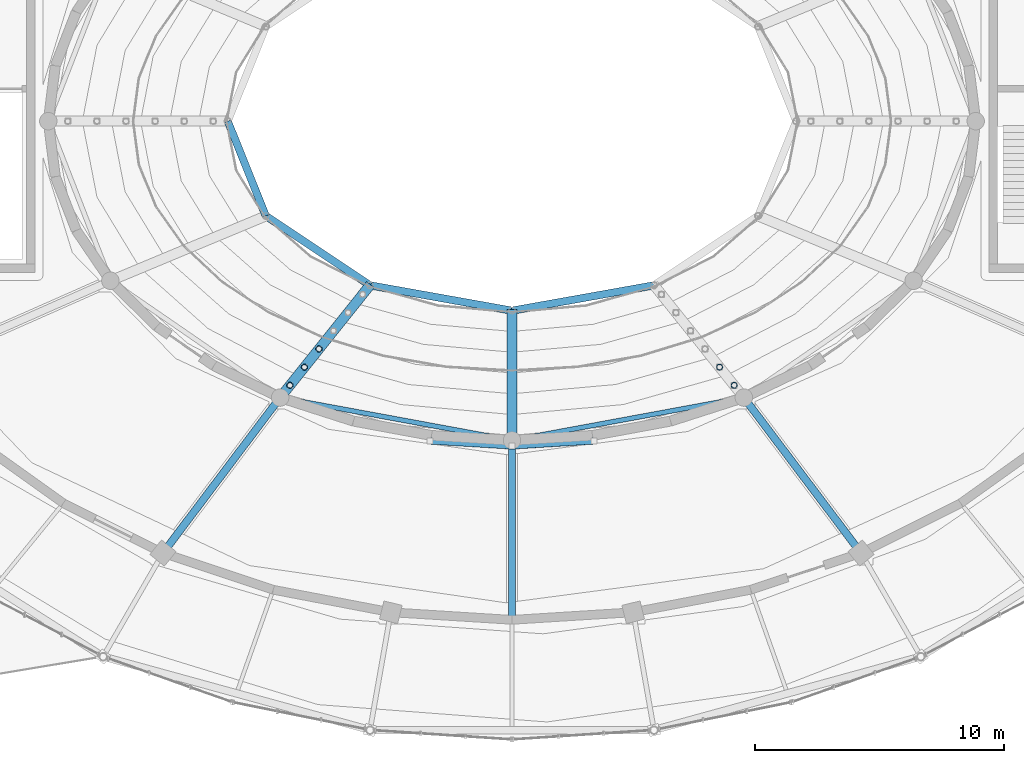
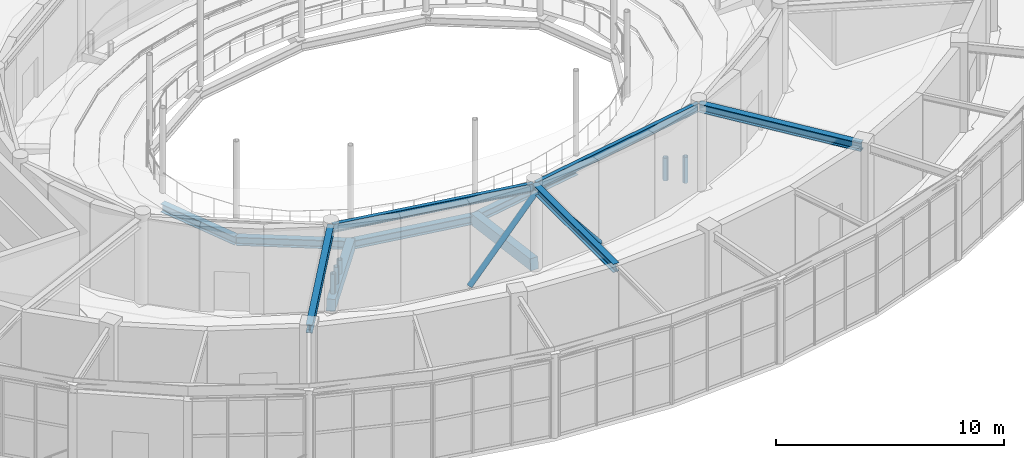
# One storey, part 42 of 108: 11 beams, 7 members.
"""IFC4 building model written with IfcOpenShell, lengths in metres."""

from ifc_helpers import new_model, si_unit, direction, frame, origin, origin_2d, place, context, subcontext, project, spatial, rectangle, hollow_circle, i_section, extrude, material, material_profile, profile_set, type_object, element, save


model = new_model("IFC4")

# Units and contexts
model_context = context("Model", 3, precision=1e-05, world=origin(), true_north=direction((0.0, 1.0)))
body_context = subcontext(model_context, "Body", "Model", "MODEL_VIEW")
ifc_project = project(units=[si_unit("LENGTHUNIT", "METRE"), si_unit("AREAUNIT", "SQUARE_METRE"), si_unit("VOLUMEUNIT", "CUBIC_METRE"), si_unit("PLANEANGLEUNIT", "RADIAN"), si_unit("MASSUNIT", "GRAM", prefix="KILO")], contexts=[model_context])

# Site, building, storey
site_placement = place(None, origin())
site = spatial("IfcSite", under=ifc_project, at=site_placement, CompositionType="ELEMENT")
building_placement = place(site_placement, origin())
building = spatial("IfcBuilding", under=site, at=building_placement, Name="Tarnveldt Headland Concert Hall", CompositionType="ELEMENT")
storey_placement = place(building_placement, frame((0.0, 0.0, 9.60009765625)))
storey = spatial("IfcBuildingStorey", under=building, at=storey_placement, Name="L02", CompositionType="ELEMENT", Elevation=9.60009765625)

# Members
ifc_material_1 = material(Name="Steel S355", Category="steel")
ifc_material_profile_1 = material_profile(ifc_material_1, hollow_circle(Radius=0.136474609375, WallThickness=0.01611328125, at=origin_2d()), Name="CHS 273x16", Category="steel")
ifc_profile_set_1 = profile_set([ifc_material_profile_1], Name="Steel S355")
member_type_1 = type_object("IfcMemberType", Name="BR-CHS273", PredefinedType="BRACE", material=ifc_profile_set_1)
for number, where, z_axis, x_axis, name in (
    (1, (80.215576171875, 41.681396484375, 0.179931640625), (0.629402069033, -0.03859783743, 0.776120636527), (0.061209623857, 0.998124933036, 0.0), "Acoustic drum chevron brace L02-12A"),
    (2, (86.784423828125, 41.681396484375, 0.179931640625), (-0.629402069033, -0.03859783743, 0.776120636527), (0.061209623857, -0.998124933036, 0.0), "Acoustic drum chevron brace L02-12B"),
):
    element("IfcMember", number, at=place(storey_placement, frame(where, z_axis=z_axis, x_axis=x_axis)), inside=storey, type_object=member_type_1, Name=name, PredefinedType="BRACE", context=body_context, shape_type="SweptSolid", body=[
        extrude(hollow_circle(Radius=0.136474609375, WallThickness=0.01611328125, at=origin_2d()), origin(), (0.0, 0.0, 1.0), 5.21826171875),
    ])

# Beams
ifc_material_2 = material(Name="Concrete C40/50", Category="concrete")
ifc_material_profile_2 = material_profile(ifc_material_2, rectangle(XDim=0.39990234375, YDim=0.60009765625, at=origin_2d()), Name="RAKER RC 400x600", Category="concrete")
ifc_profile_set_2 = profile_set([ifc_material_profile_2], Name="Concrete C40/50")
beam_type_1 = type_object("IfcBeamType", Name="RK-400x600", PredefinedType="BEAM", material=ifc_profile_set_2)
beam_1_placement = place(storey_placement, frame((74.199951171875, 43.414794921875, 0.18994140625), z_axis=(0.619798723742, 0.775315831965, -0.121387407715), x_axis=(-0.781091844356, 0.624416151842, 0.0)))
element("IfcBeam", 3, at=beam_1_placement, inside=storey, type_object=beam_type_1, Name="Stand RAKER beam L02-9", PredefinedType="BEAM", context=body_context, shape_type="SweptSolid", body=[
    extrude(rectangle(XDim=0.39990234375, YDim=0.60009765625, at=origin_2d()), origin(), (0.0, 0.0, 1.0), 5.80859375),
])
beam_2_placement = place(storey_placement, frame((83.5, 41.699951171875, 0.18994140625), z_axis=(0.0, 0.99093208818, -0.134363672974), x_axis=(-1.0, 0.0, 0.0)))
element("IfcBeam", 4, at=beam_2_placement, inside=storey, type_object=beam_type_1, Name="Stand RAKER beam L02-10", PredefinedType="BEAM", context=body_context, shape_type="SweptSolid", body=[
    extrude(rectangle(XDim=0.39990234375, YDim=0.60009765625, at=origin_2d()), origin(), (0.0, 0.0, 1.0), 5.24755859375),
])
ifc_material_profile_3 = material_profile(ifc_material_1, i_section(OverallWidth=0.300048828125, OverallDepth=0.449951171875, WebThickness=0.013916015625, FlangeThickness=0.02587890625, FilletRadius=0.027099609375, at=origin_2d()), Name="HEB450", Category="steel")
ifc_profile_set_3 = profile_set([ifc_material_profile_3], Name="Steel S355")
beam_type_2 = type_object("IfcBeamType", Name="SB-HEB450", PredefinedType="BEAM", material=ifc_profile_set_3)
beam_3_placement = place(storey_placement, frame((72.10009765625, 54.5, -0.51513671875), z_axis=(0.372880527765, -0.927879362856, 0.0), x_axis=(0.927879362856, 0.372880527765, 0.0)))
element("IfcBeam", 5, at=beam_3_placement, inside=storey, type_object=beam_type_2, Name="RAKER header beam L02-7", PredefinedType="BEAM", context=body_context, shape_type="SweptSolid", body=[
    extrude(i_section(OverallWidth=0.300048828125, OverallDepth=0.449951171875, WebThickness=0.013916015625, FlangeThickness=0.02587890625, FilletRadius=0.027099609375, at=origin_2d()), origin(), (0.0, 0.0, 1.0), 4.095458984375),
])
beam_4_placement = place(storey_placement, frame((73.627197265625, 50.699951171875, -0.51513671875), z_axis=(0.832065272977, -0.554677727609, 0.0), x_axis=(0.554677727609, 0.832065272977, 0.0)))
element("IfcBeam", 6, at=beam_4_placement, inside=storey, type_object=beam_type_2, Name="RAKER header beam L02-8", PredefinedType="BEAM", context=body_context, shape_type="SweptSolid", body=[
    extrude(i_section(OverallWidth=0.300048828125, OverallDepth=0.449951171875, WebThickness=0.013916015625, FlangeThickness=0.02587890625, FilletRadius=0.027099609375, at=origin_2d()), origin(), (0.0, 0.0, 1.0), 5.01513671875),
])
for number, where, z_axis, x_axis, name in (
    (7, (77.800048828125, 47.918212890625, -0.51513671875), (0.984413760872, -0.175867982893, 0.0), (0.175867982893, 0.984413760872, 0.0), "RAKER header beam L02-9"),
    (8, (83.5, 46.89990234375, -0.51513671875), (0.984413760872, 0.175867982893, 0.0), (-0.175867982893, 0.984413760872, 0.0), "RAKER header beam L02-10"),
):
    element("IfcBeam", number, at=place(storey_placement, frame(where, z_axis=z_axis, x_axis=x_axis)), inside=storey, type_object=beam_type_2, Name=name, PredefinedType="BEAM", context=body_context, shape_type="SweptSolid", body=[
        extrude(i_section(OverallWidth=0.300048828125, OverallDepth=0.449951171875, WebThickness=0.013916015625, FlangeThickness=0.02587890625, FilletRadius=0.027099609375, at=origin_2d()), origin(), (0.0, 0.0, 1.0), 5.790283203125),
    ])
beam_5_placement = place(storey_placement, frame((74.17578125, 43.383056640625, 4.324951171875), z_axis=(-0.601893745781, -0.798576182208, 0.0), x_axis=(0.798576182208, -0.601893745781, 0.0)))
element("IfcBeam", 9, at=beam_5_placement, inside=storey, type_object=beam_type_2, Name="Framing beam L02-1065", PredefinedType="BEAM", context=body_context, shape_type="SweptSolid", body=[
    extrude(i_section(OverallWidth=0.300048828125, OverallDepth=0.449951171875, WebThickness=0.013916015625, FlangeThickness=0.02587890625, FilletRadius=0.027099609375, at=origin_2d()), origin(), (0.0, 0.0, 1.0), 7.728271484375),
])
beam_6_placement = place(storey_placement, frame((83.5, 41.659912109375, 4.324951171875), z_axis=(0.0, -1.0, 0.0), x_axis=(1.0, 0.0, 0.0)))
element("IfcBeam", 10, at=beam_6_placement, inside=storey, type_object=beam_type_2, Name="Framing beam L02-1067", PredefinedType="BEAM", context=body_context, shape_type="SweptSolid", body=[
    extrude(i_section(OverallWidth=0.300048828125, OverallDepth=0.449951171875, WebThickness=0.013916015625, FlangeThickness=0.02587890625, FilletRadius=0.027099609375, at=origin_2d()), origin(), (0.0, 0.0, 1.0), 7.119873046875),
])
beam_7_placement = place(storey_placement, frame((92.82421875, 43.383056640625, 4.324951171875), z_axis=(0.601893745781, -0.798576182208, 0.0), x_axis=(0.798576182208, 0.601893745781, 0.0)))
element("IfcBeam", 11, at=beam_7_placement, inside=storey, type_object=beam_type_2, Name="Framing beam L02-1069", PredefinedType="BEAM", context=body_context, shape_type="SweptSolid", body=[
    extrude(i_section(OverallWidth=0.300048828125, OverallDepth=0.449951171875, WebThickness=0.013916015625, FlangeThickness=0.02587890625, FilletRadius=0.027099609375, at=origin_2d()), origin(), (0.0, 0.0, 1.0), 7.728271484375),
])
ifc_material_profile_4 = material_profile(ifc_material_1, i_section(OverallWidth=0.18994140625, OverallDepth=0.449951171875, WebThickness=0.009521484375, FlangeThickness=0.0146484375, FilletRadius=0.02099609375, at=origin_2d()), Name="IPE450", Category="steel")
ifc_profile_set_4 = profile_set([ifc_material_profile_4], Name="Steel S355")
beam_type_3 = type_object("IfcBeamType", Name="SB-IPE450", PredefinedType="BEAM", material=ifc_profile_set_4)
for number, where, z_axis, x_axis, name in (
    (12, (74.259033203125, 43.404052734375, 4.324951171875), (0.983420438696, -0.181340124501, 0.0), (0.181340124501, 0.983420438696, 0.0), "Framing beam L02-1066"),
    (13, (83.55908203125, 41.7109375, 4.324951171875), (0.983420438696, 0.181340124501, 0.0), (-0.181340124501, 0.983420438696, 0.0), "Framing beam L02-1068"),
):
    element("IfcBeam", number, at=place(storey_placement, frame(where, z_axis=z_axis, x_axis=x_axis)), inside=storey, type_object=beam_type_3, Name=name, PredefinedType="BEAM", context=body_context, shape_type="SweptSolid", body=[
        extrude(i_section(OverallWidth=0.18994140625, OverallDepth=0.449951171875, WebThickness=0.009521484375, FlangeThickness=0.0146484375, FilletRadius=0.02099609375, at=origin_2d()), origin(), (0.0, 0.0, 1.0), 9.336669921875),
    ])

# Members
ifc_material_profile_5 = material_profile(ifc_material_1, hollow_circle(Radius=0.122314453125, WallThickness=0.01611328125, at=origin_2d()), Name="CHS 244.5x16", Category="steel")
ifc_profile_set_5 = profile_set([ifc_material_profile_5], Name="Steel S355")
member_type_2 = type_object("IfcMemberType", Name="TR-CHORD244", PredefinedType="POST", material=ifc_profile_set_5)
member_placement = place(storey_placement, frame((75.75830078125, 45.3642578125, -0.115234375), z_axis=(0.0, 0.0, 1.0), x_axis=(1.0, 0.0, 0.0)))
element("IfcMember", 14, at=member_placement, inside=storey, type_object=member_type_2, Name="Vineyard tier raker stool post L02-4-9", PredefinedType="POST", context=body_context, shape_type="SweptSolid", body=[
    extrude(hollow_circle(Radius=0.122314453125, WallThickness=0.01611328125, at=origin_2d()), origin(), (0.0, 0.0, 1.0), 1.045166015625),
])
for number, where, z_axis, x_axis, name in (
    (15, (75.175048828125, 44.634521484375, -0.0009765625), (0.0, 0.0, 1.0), (1.0, 0.0, 0.0), "Vineyard tier raker stool post L02-5-9"),
    (16, (91.824951171875, 44.634521484375, -0.0009765625), (0.0, 0.0, 1.0), (1.0, 0.0, 0.0), "Vineyard tier raker stool post L02-5-11"),
):
    element("IfcMember", number, at=place(storey_placement, frame(where, z_axis=z_axis, x_axis=x_axis)), inside=storey, type_object=member_type_2, Name=name, PredefinedType="POST", context=body_context, shape_type="SweptSolid", body=[
        extrude(hollow_circle(Radius=0.122314453125, WallThickness=0.01611328125, at=origin_2d()), origin(), (0.0, 0.0, 1.0), 1.2109375),
    ])
for number, where, z_axis, x_axis, name in (
    (17, (74.591796875, 43.90478515625, 0.11328125), (0.0, 0.0, 1.0), (1.0, 0.0, 0.0), "Vineyard tier raker stool post L02-6-9"),
    (18, (92.408203125, 43.90478515625, 0.11328125), (0.0, 0.0, 1.0), (1.0, 0.0, 0.0), "Vineyard tier raker stool post L02-6-11"),
):
    element("IfcMember", number, at=place(storey_placement, frame(where, z_axis=z_axis, x_axis=x_axis)), inside=storey, type_object=member_type_2, Name=name, PredefinedType="POST", context=body_context, shape_type="SweptSolid", body=[
        extrude(hollow_circle(Radius=0.122314453125, WallThickness=0.01611328125, at=origin_2d()), origin(), (0.0, 0.0, 1.0), 1.376708984375),
    ])

save(model, "model.ifc")
